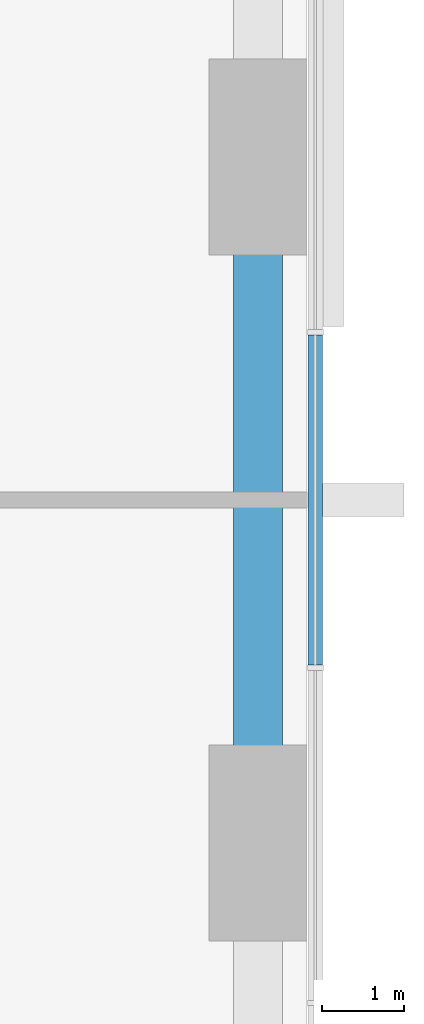
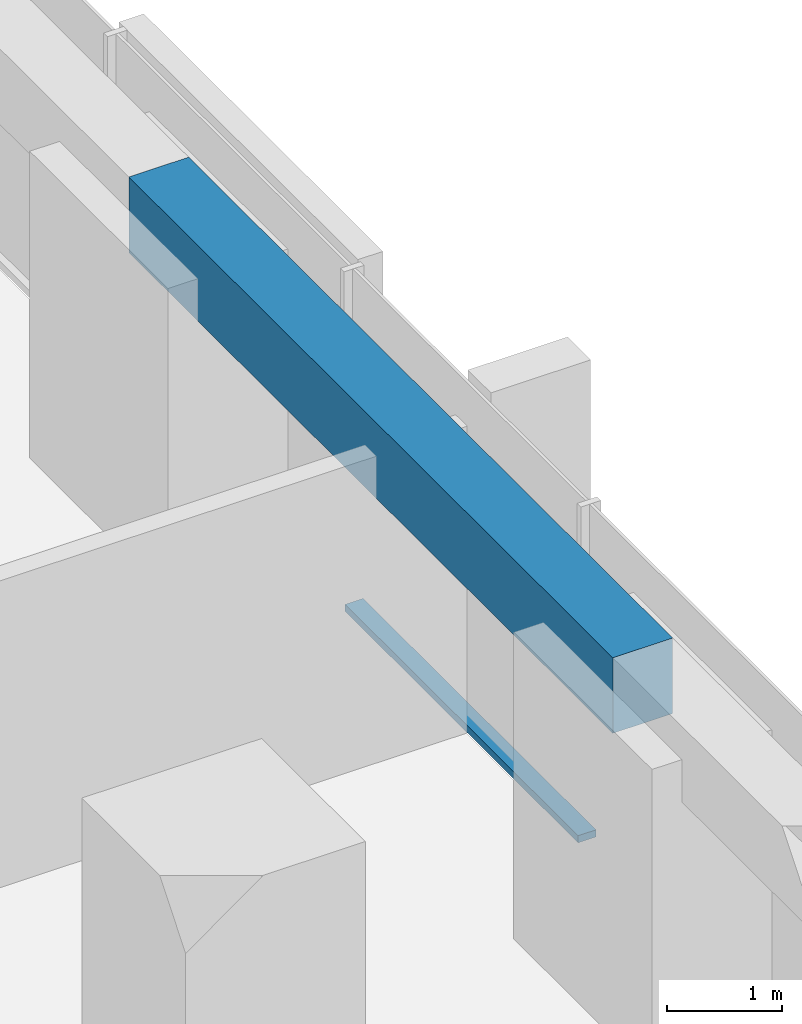
# One storey, part 5 of 17: 1 beam, 1 member, 1 element without a shape of its own.
"""IFC4 building model written with IfcOpenShell, lengths in metres."""

from ifc_helpers import new_model, si_unit, direction, frame, origin, origin_2d, place, context, subcontext, project, spatial, rectangle, extrude, material, material_profile, profile_set, type_object, element, aggregate, save


model = new_model("IFC4")

# Units and contexts
model_context = context("Model", 3, precision=1e-05, world=origin(), true_north=direction((0.0, 1.0)))
body_context = subcontext(model_context, "Body", "Model", "MODEL_VIEW")
ifc_project = project(units=[si_unit("LENGTHUNIT", "METRE"), si_unit("AREAUNIT", "SQUARE_METRE"), si_unit("VOLUMEUNIT", "CUBIC_METRE"), si_unit("PLANEANGLEUNIT", "RADIAN"), si_unit("MASSUNIT", "GRAM", prefix="KILO")], contexts=[model_context])

# Site, building, storey
site_placement = place(None, origin())
site = spatial("IfcSite", under=ifc_project, at=site_placement, CompositionType="ELEMENT")
building_placement = place(site_placement, origin())
building = spatial("IfcBuilding", under=site, at=building_placement, Name="Dunama Terrace Hotel", CompositionType="ELEMENT")
storey_placement = place(building_placement, frame((0.0, 0.0, 52.199951171875)))
storey = spatial("IfcBuildingStorey", under=building, at=storey_placement, Name="L12", CompositionType="ELEMENT", Elevation=52.199951171875)

# Curtain wall, member
ifc_material_1 = material(Name="Aluminium curtain wall system", Category="aluminium")
curtain_wall_type = type_object("IfcCurtainWallType", Name="Unitised fritted glass wall CW-A", PredefinedType="NOTDEFINED", material=ifc_material_1)
curtain_wall_placement = place(storey_placement, origin())
curtain_wall = element("IfcCurtainWall", 1, at=curtain_wall_placement, inside=storey, type_object=curtain_wall_type, Name="Unitised fritted glass wall CW-A L12", PredefinedType="NOTDEFINED")
ifc_material_2 = material(Name="Aluminium transom", Category="aluminium")
ifc_material_profile_1 = material_profile(ifc_material_2, rectangle(XDim=0.179931640625, YDim=0.074951171875, at=origin_2d()), Name="CWA TRANSOM 180X75")
ifc_profile_set_1 = profile_set([ifc_material_profile_1], Name="Aluminium transom")
member_type = type_object("IfcMemberType", Name="CWA transom 180x75", PredefinedType="USERDEFINED", material=ifc_profile_set_1)
member_placement = place(storey_placement, frame((58.89990234375, 27.37890625, 0.03759765625), z_axis=(0.0, 1.0, 0.0), x_axis=(-1.0, 0.0, 0.0)))
member = element("IfcMember", 2, at=member_placement, type_object=member_type, Name="CWA transom", ObjectType="TRANSOM", PredefinedType="USERDEFINED", context=body_context, shape_type="SweptSolid", body=[
    extrude(rectangle(XDim=0.179931640625, YDim=0.074951171875, at=origin_2d()), origin(), (0.0, 0.0, 1.0), 4.0419921875),
])
aggregate(curtain_wall, [member])

# Beam
ifc_material_3 = material(Name="Concrete C40/50", Category="concrete")
ifc_material_profile_2 = material_profile(ifc_material_3, rectangle(XDim=0.60009765625, YDim=0.800048828125, at=origin_2d()), Name="RC 600x800")
ifc_profile_set_2 = profile_set([ifc_material_profile_2], Name="Concrete C40/50")
beam_type = type_object("IfcBeamType", Name="Edge beam RC 600x800", PredefinedType="SPANDREL", material=ifc_profile_set_2)
beam_placement = place(storey_placement, frame((58.199951171875, 25.199951171875, 3.199951171875), z_axis=(0.0, 1.0, 0.0), x_axis=(-1.0, 0.0, 0.0)))
element("IfcBeam", 3, at=beam_placement, inside=storey, type_object=beam_type, Name="Edge beam under L13", PredefinedType="SPANDREL", context=body_context, shape_type="SweptSolid", body=[
    extrude(rectangle(XDim=0.60009765625, YDim=0.800048828125, at=origin_2d()), origin(), (0.0, 0.0, 1.0), 8.400146484375),
])

save(model, "model.ifc")
